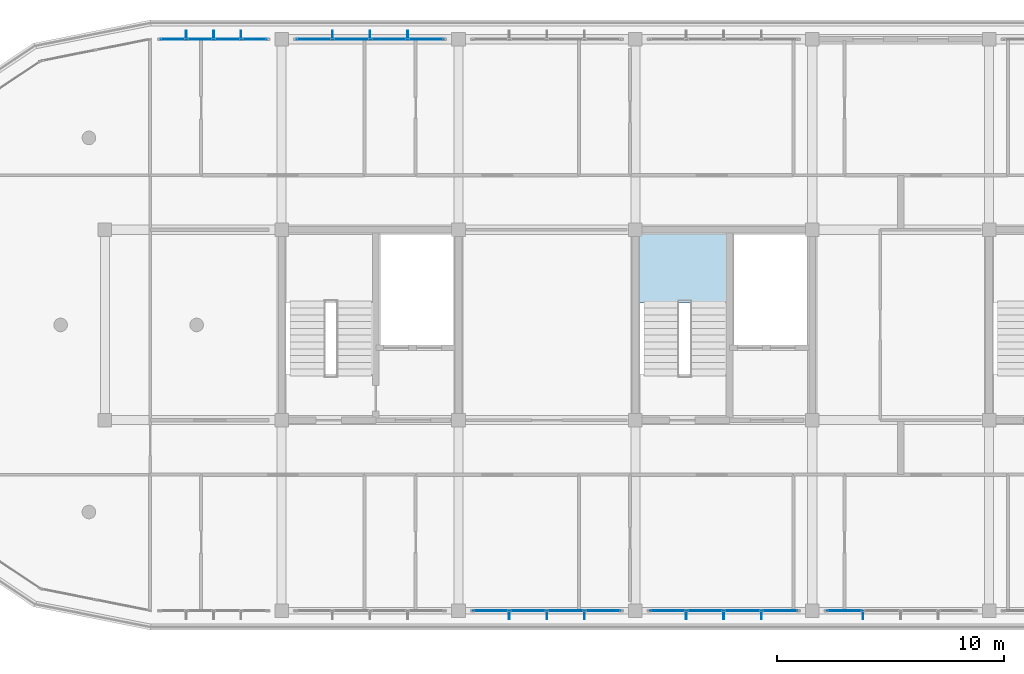
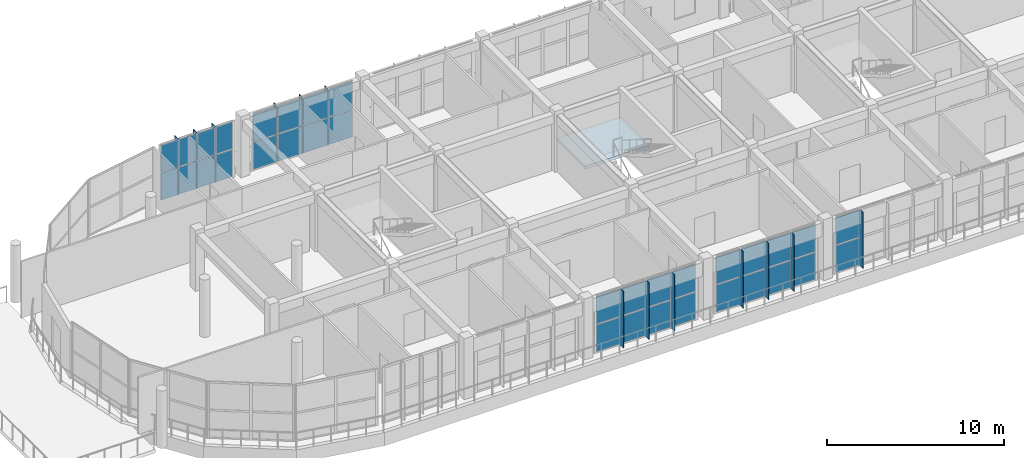
# One storey, part 32 of 50: 47 plates, 1 slab, 6 elements without a shape of their own.
"""IFC4 building model written with IfcOpenShell, lengths in metres."""

import ifcopenshell
import ifcopenshell.guid

model = None  # the IFC model being written
_history = None  # IfcOwnerHistory: only IFC2X3 demands one
_inside = {}  # id of a spatial element -> (the spatial element, [elements in it])
_under = {}  # id of a project, library or spatial element -> (it, [spatial elements below it])
_declared = {}  # id of a project -> (the project, [libraries it declares])
_typed = {}  # id of a type object -> (the type object, [elements of that type])
_made_of = {}  # id of a material, layer set ... -> (it, [elements and type objects made of it])


def new_model(schema):
    """Start an empty IFC model of exactly this schema.

    Asked for "IFC4X3", IfcOpenShell would pick the latest addendum, in which some entities
    have other attributes; the version numbers below select the first issue.
    IFC2X3 requires an IfcOwnerHistory on every rooted entity: one is made here for all.
    """
    global model, _history
    if schema == "IFC4X3":
        model = ifcopenshell.file(schema_version=(4, 3, 0, 0))
    else:
        model = ifcopenshell.file(schema=schema)
    _inside.clear()
    _under.clear()
    _declared.clear()
    _typed.clear()
    _made_of.clear()
    _history = None
    if model.schema == "IFC2X3":
        org = make("IfcOrganization", Name="unknown")
        user = make(
            "IfcPersonAndOrganization",
            ThePerson=make("IfcPerson", FamilyName="unknown"),
            TheOrganization=org,
        )
        app = make(
            "IfcApplication",
            ApplicationDeveloper=org,
            Version="unknown",
            ApplicationFullName="unknown",
            ApplicationIdentifier="unknown",
        )
        _history = make(
            "IfcOwnerHistory",
            OwningUser=user,
            OwningApplication=app,
            ChangeAction="ADDED",
            CreationDate=0,
        )
    return model


def make(cls, **values):
    """One entity of the class cls with the attributes given. An attribute that is None is left unset."""
    return model.create_entity(
        cls, **{name: value for name, value in values.items() if value is not None}
    )


def rooted(cls, **values):
    """An entity with a GlobalId (a new one), such as an element, a storey or a relation."""
    return make(cls, GlobalId=ifcopenshell.guid.new(), OwnerHistory=_history, **values)


def si_unit(unit_type, name, prefix=None):
    """IfcSIUnit, for example si_unit("LENGTHUNIT", "METRE", prefix="MILLI")."""
    return make("IfcSIUnit", UnitType=unit_type, Prefix=prefix, Name=name)


def assignment(units):
    """IfcUnitAssignment: the units of a project."""
    return None if units is None else make("IfcUnitAssignment", Units=units)


def point(xyz):
    """IfcCartesianPoint."""
    return None if xyz is None else make("IfcCartesianPoint", Coordinates=xyz)


def direction(xyz):
    """IfcDirection."""
    return None if xyz is None else make("IfcDirection", DirectionRatios=xyz)


def frame(location, z_axis=None, x_axis=None):
    """IfcAxis2Placement3D, a coordinate frame: its origin and axes. An axis left out is left unset."""
    return make(
        "IfcAxis2Placement3D",
        Location=point(location),
        Axis=direction(z_axis),
        RefDirection=direction(x_axis),
    )


def frame_2d(location, x_axis=None):
    """IfcAxis2Placement2D, a coordinate frame in the plane: its origin and x axis."""
    return make(
        "IfcAxis2Placement2D", Location=point(location), RefDirection=direction(x_axis)
    )


def origin():
    """The frame at (0, 0, 0) with its axes left unset."""
    return frame((0.0, 0.0, 0.0))


def origin_2d():
    """The frame at (0, 0) in the plane with its x axis left unset."""
    return frame_2d((0.0, 0.0))


def place(relative_to, where):
    """IfcLocalPlacement: puts the frame where relative to a parent placement (None: the world)."""
    return make(
        "IfcLocalPlacement", PlacementRelTo=relative_to, RelativePlacement=where
    )


def context(
    kind, dimensions, precision=None, world=None, true_north=None, identifier=None
):
    """IfcGeometricRepresentationContext, for example the 3D "Model" context."""
    return make(
        "IfcGeometricRepresentationContext",
        ContextIdentifier=identifier,
        ContextType=kind,
        CoordinateSpaceDimension=dimensions,
        Precision=precision,
        WorldCoordinateSystem=world,
        TrueNorth=true_north,
    )


def subcontext(parent, identifier, kind, view, scale=None):
    """IfcGeometricRepresentationSubContext, for example "Body" below "Model"."""
    return make(
        "IfcGeometricRepresentationSubContext",
        ContextIdentifier=identifier,
        ContextType=kind,
        ParentContext=parent,
        TargetScale=scale,
        TargetView=view,
    )


def project(units=None, contexts=None):
    """IfcProject with its units and contexts."""
    return rooted(
        "IfcProject",
        Name="project",
        RepresentationContexts=contexts,
        UnitsInContext=assignment(units),
    )


def spatial(cls, under=None, at=None, **own):
    """A site, building, storey or space (cls), placed at a placement, below another one or the project."""
    s = rooted(cls, ObjectPlacement=at, **own)
    if under is not None:
        _under.setdefault(under.id(), (under, []))[1].append(s)
    return s


def polyline(points):
    """IfcPolyline through the points."""
    return make("IfcPolyline", Points=[point(p) for p in points])


def profile(cls, at=None, kind="AREA", **sizes):
    """A parametric profile (cls). Its sizes go by their IFC names, for example OverallWidth=200.0."""
    return make(cls, ProfileType=kind, Position=at, **sizes)


def rectangle(**sizes):
    """IfcRectangleProfileDef."""
    return profile("IfcRectangleProfileDef", **sizes)


def outline(outer, holes=None, kind="AREA"):
    """IfcArbitraryClosedProfileDef: a profile drawn as a closed curve; with holes, ...WithVoids."""
    if holes is None:
        return make("IfcArbitraryClosedProfileDef", ProfileType=kind, OuterCurve=outer)
    return make(
        "IfcArbitraryProfileDefWithVoids",
        ProfileType=kind,
        OuterCurve=outer,
        InnerCurves=holes,
    )


def extrude(swept, where, along, depth):
    """IfcExtrudedAreaSolid: the profile swept, set in the frame where, extruded along a direction by depth."""
    return make(
        "IfcExtrudedAreaSolid",
        SweptArea=swept,
        Position=where,
        ExtrudedDirection=direction(along),
        Depth=depth,
    )


def shape(context_of_items, identifier, shape_type, items):
    """IfcShapeRepresentation: the items that make up one representation, for example the "Body"."""
    return make(
        "IfcShapeRepresentation",
        ContextOfItems=context_of_items,
        RepresentationIdentifier=identifier,
        RepresentationType=shape_type,
        Items=items,
    )


def material(Name=None, Category=None):
    """IfcMaterial."""
    return make("IfcMaterial", Name=Name, Category=Category)


def layer(
    of_material, thickness, ventilated=None, Name=None, Category=None, Priority=None
):
    """IfcMaterialLayer: one layer of a wall or slab, of a material (None: an air gap)."""
    return make(
        "IfcMaterialLayer",
        Material=of_material,
        LayerThickness=thickness,
        IsVentilated=ventilated,
        Name=Name,
        Category=Category,
        Priority=Priority,
    )


def layer_set(layers, Name=None):
    """IfcMaterialLayerSet."""
    return make("IfcMaterialLayerSet", MaterialLayers=layers, LayerSetName=Name)


def made_of(thing, what):
    """Note that an element or type object is made of a material, layer set ...; save() writes the relation."""
    if what is not None:
        _made_of.setdefault(what.id(), (what, []))[1].append(thing)
    return thing


def type_object(cls, material=None, **own):
    """A type object (cls), such as IfcWallType, which elements share."""
    return made_of(rooted(cls, **own), material)


def element(
    cls,
    number,
    at=None,
    inside=None,
    cuts=None,
    type_object=None,
    material=None,
    context=None,
    identifier="Body",
    shape_type=None,
    held_by="IfcProductDefinitionShape",
    body=None,
    shapes=None,
    **own,
):
    """One element of the class cls, such as IfcWall. Its Tag is "e" and its number.

    at: its placement. inside: the storey or other place that contains it. cuts: it is an
    opening in that element (IfcRelVoidsElement). A single representation is given by context,
    identifier, shape_type and body (its items); several are given by shapes. held_by: the class
    of the entity that holds the representations. save() writes the other relations.
    """
    e = rooted(cls, Tag="e%d" % number, ObjectPlacement=at, **own)
    if body is not None:
        shapes = [shape(context, identifier, shape_type, body)]
    if shapes is not None:
        e.Representation = make(held_by, Representations=shapes)
    if inside is not None:
        _inside.setdefault(inside.id(), (inside, []))[1].append(e)
    if cuts is not None:
        rooted(
            "IfcRelVoidsElement", RelatingBuildingElement=cuts, RelatedOpeningElement=e
        )
    if type_object is not None:
        _typed.setdefault(type_object.id(), (type_object, []))[1].append(e)
    return made_of(e, material)


def aggregate(whole, parts):
    """IfcRelAggregates: a whole, such as a stair, and the parts it consists of."""
    return rooted("IfcRelAggregates", RelatingObject=whole, RelatedObjects=parts)


def save(model, path):
    """Write the relations noted so far, then the file.

    IfcRelAggregates (storeys below a building ...), IfcRelContainedInSpatialStructure (elements
    in a storey), IfcRelDefinesByType, IfcRelAssociatesMaterial and IfcRelDeclares: one each for
    every whole, place, type object, material and project.
    """
    for whole, parts in _under.values():
        aggregate(whole, parts)
    for where, things in _inside.values():
        rooted(
            "IfcRelContainedInSpatialStructure",
            RelatedElements=things,
            RelatingStructure=where,
        )
    for kind, things in _typed.values():
        rooted("IfcRelDefinesByType", RelatedObjects=things, RelatingType=kind)
    for what, things in _made_of.values():
        rooted("IfcRelAssociatesMaterial", RelatedObjects=things, RelatingMaterial=what)
    for by, libraries in _declared.values():
        rooted("IfcRelDeclares", RelatingContext=by, RelatedDefinitions=libraries)
    model.write(path)


model = new_model("IFC4")

# Units and contexts
model_context = context("Model", 3, precision=1e-05, world=origin(), true_north=direction((0.0, 1.0)))
body_context = subcontext(model_context, "Body", "Model", "MODEL_VIEW")
ifc_project = project(units=[si_unit("LENGTHUNIT", "METRE"), si_unit("AREAUNIT", "SQUARE_METRE"), si_unit("VOLUMEUNIT", "CUBIC_METRE"), si_unit("PLANEANGLEUNIT", "RADIAN"), si_unit("MASSUNIT", "GRAM", prefix="KILO")], contexts=[model_context])

# Site, building, storey
site_placement = place(None, origin())
site = spatial("IfcSite", under=ifc_project, at=site_placement, CompositionType="ELEMENT")
building_placement = place(site_placement, origin())
building = spatial("IfcBuilding", under=site, at=building_placement, Name="Zizhar Promenade General Hospital", CompositionType="ELEMENT")
storey_placement = place(building_placement, frame((0.0, 0.0, 30.60009765625)))
storey = spatial("IfcBuildingStorey", under=building, at=storey_placement, Name="L07", CompositionType="ELEMENT", Elevation=30.60009765625)

# Curtain wall, plates
ifc_material_1 = material(Name="Anodised aluminium 6063-T6 and low-E glass", Category="aluminium")
ifc_layer_1 = layer(ifc_material_1, 0.159912109375)
ifc_layer_set_1 = layer_set([ifc_layer_1], Name="Anodised aluminium 6063-T6 and low-E glass")
curtain_wall_type = type_object("IfcCurtainWallType", Name="CW-WARD-RIB", PredefinedType="NOTDEFINED", material=ifc_layer_set_1)
curtain_wall_1_placement = place(storey_placement, origin())
curtain_wall_1 = element("IfcCurtainWall", 1, at=curtain_wall_1_placement, inside=storey, type_object=curtain_wall_type, Name="Ward Ribbon Curtain Wall L07-8-0", PredefinedType="NOTDEFINED")
ifc_material_2 = material(Name="Low-E solar-control glass", Category="glass")
ifc_layer_2 = layer(ifc_material_2, 0.031982421875)
ifc_layer_set_2 = layer_set([ifc_layer_2], Name="Low-E solar-control glass")
plate_type_1 = type_object("IfcPlateType", Name="CWP-GLZ-32", PredefinedType="CURTAIN_PANEL", material=ifc_layer_set_2)
plate_1_placement = place(storey_placement, frame((42.0048828125, 25.199951171875, 0.06005859375), z_axis=(0.0, 0.0, 1.0), x_axis=(1.0, 0.0, 0.0)))
plate_1 = element("IfcPlate", 2, at=plate_1_placement, type_object=plate_type_1, Name="CW-13 panel 1.1", PredefinedType="CURTAIN_PANEL", context=body_context, shape_type="SweptSolid", body=[
    extrude(rectangle(XDim=1.090087890625, YDim=0.031982421875, at=origin_2d()), origin(), (0.0, 0.0, 1.0), 1.860107421875),
])
plate_2_placement = place(storey_placement, frame((42.0048828125, 25.199951171875, 1.97998046875), z_axis=(0.0, 0.0, 1.0), x_axis=(1.0, 0.0, 0.0)))
plate_2 = element("IfcPlate", 3, at=plate_2_placement, type_object=plate_type_1, Name="CW-13 panel 1.2", PredefinedType="CURTAIN_PANEL", context=body_context, shape_type="SweptSolid", body=[
    extrude(rectangle(XDim=1.090087890625, YDim=0.031982421875, at=origin_2d()), origin(), (0.0, 0.0, 1.0), 1.860107421875),
])
plate_3_placement = place(storey_placement, frame((43.195068359375, 25.199951171875, 0.06005859375), z_axis=(0.0, 0.0, 1.0), x_axis=(1.0, 0.0, 0.0)))
plate_3 = element("IfcPlate", 4, at=plate_3_placement, type_object=plate_type_1, Name="CW-13 panel 2.1", PredefinedType="CURTAIN_PANEL", context=body_context, shape_type="SweptSolid", body=[
    extrude(rectangle(XDim=1.1298828125, YDim=0.031982421875, at=origin_2d()), origin(), (0.0, 0.0, 1.0), 1.860107421875),
])
plate_4_placement = place(storey_placement, frame((43.195068359375, 25.199951171875, 1.97998046875), z_axis=(0.0, 0.0, 1.0), x_axis=(1.0, 0.0, 0.0)))
plate_4 = element("IfcPlate", 5, at=plate_4_placement, type_object=plate_type_1, Name="CW-13 panel 2.2", PredefinedType="CURTAIN_PANEL", context=body_context, shape_type="SweptSolid", body=[
    extrude(rectangle(XDim=1.1298828125, YDim=0.031982421875, at=origin_2d()), origin(), (0.0, 0.0, 1.0), 1.860107421875),
])
plate_5_placement = place(storey_placement, frame((44.405029296875, 25.199951171875, 0.06005859375), z_axis=(0.0, 0.0, 1.0), x_axis=(1.0, 0.0, 0.0)))
plate_5 = element("IfcPlate", 6, at=plate_5_placement, type_object=plate_type_1, Name="CW-13 panel 3.1", PredefinedType="CURTAIN_PANEL", context=body_context, shape_type="SweptSolid", body=[
    extrude(rectangle(XDim=1.1298828125, YDim=0.031982421875, at=origin_2d()), origin(), (0.0, 0.0, 1.0), 1.860107421875),
])
plate_6_placement = place(storey_placement, frame((44.405029296875, 25.199951171875, 1.97998046875), z_axis=(0.0, 0.0, 1.0), x_axis=(1.0, 0.0, 0.0)))
plate_6 = element("IfcPlate", 7, at=plate_6_placement, type_object=plate_type_1, Name="CW-13 panel 3.2", PredefinedType="CURTAIN_PANEL", context=body_context, shape_type="SweptSolid", body=[
    extrude(rectangle(XDim=1.1298828125, YDim=0.031982421875, at=origin_2d()), origin(), (0.0, 0.0, 1.0), 1.860107421875),
])
plate_7_placement = place(storey_placement, frame((45.594970703125, 25.199951171875, 0.06005859375), z_axis=(0.0, 0.0, 1.0), x_axis=(1.0, 0.0, 0.0)))
plate_7 = element("IfcPlate", 8, at=plate_7_placement, type_object=plate_type_1, Name="CW-13 panel 4.1", PredefinedType="CURTAIN_PANEL", context=body_context, shape_type="SweptSolid", body=[
    extrude(rectangle(XDim=1.090087890625, YDim=0.031982421875, at=origin_2d()), origin(), (0.0, 0.0, 1.0), 1.860107421875),
])
plate_8_placement = place(storey_placement, frame((45.594970703125, 25.199951171875, 1.97998046875), z_axis=(0.0, 0.0, 1.0), x_axis=(1.0, 0.0, 0.0)))
plate_8 = element("IfcPlate", 9, at=plate_8_placement, type_object=plate_type_1, Name="CW-13 panel 4.2", PredefinedType="CURTAIN_PANEL", context=body_context, shape_type="SweptSolid", body=[
    extrude(rectangle(XDim=1.090087890625, YDim=0.031982421875, at=origin_2d()), origin(), (0.0, 0.0, 1.0), 1.860107421875),
])
aggregate(curtain_wall_1, [plate_1, plate_2, plate_3, plate_4, plate_5, plate_6, plate_7, plate_8])

curtain_wall_2_placement = place(storey_placement, origin())
curtain_wall_2 = element("IfcCurtainWall", 10, at=curtain_wall_2_placement, inside=storey, type_object=curtain_wall_type, Name="Ward Ribbon Curtain Wall L07-8-1", PredefinedType="NOTDEFINED")
plate_9_placement = place(storey_placement, frame((48.22998046875, 25.199951171875, 0.06005859375), z_axis=(0.0, 0.0, 1.0), x_axis=(1.0, 0.0, 0.0)))
plate_9 = element("IfcPlate", 11, at=plate_9_placement, type_object=plate_type_1, Name="CW-13 panel 1.1", PredefinedType="CURTAIN_PANEL", context=body_context, shape_type="SweptSolid", body=[
    extrude(rectangle(XDim=1.5400390625, YDim=0.031982421875, at=origin_2d()), origin(), (0.0, 0.0, 1.0), 1.860107421875),
])
plate_10_placement = place(storey_placement, frame((48.22998046875, 25.199951171875, 1.97998046875), z_axis=(0.0, 0.0, 1.0), x_axis=(1.0, 0.0, 0.0)))
plate_10 = element("IfcPlate", 12, at=plate_10_placement, type_object=plate_type_1, Name="CW-13 panel 1.2", PredefinedType="CURTAIN_PANEL", context=body_context, shape_type="SweptSolid", body=[
    extrude(rectangle(XDim=1.5400390625, YDim=0.031982421875, at=origin_2d()), origin(), (0.0, 0.0, 1.0), 1.860107421875),
])
plate_11_placement = place(storey_placement, frame((49.8701171875, 25.199951171875, 0.06005859375), z_axis=(0.0, 0.0, 1.0), x_axis=(1.0, 0.0, 0.0)))
plate_11 = element("IfcPlate", 13, at=plate_11_placement, type_object=plate_type_1, Name="CW-13 panel 2.1", PredefinedType="CURTAIN_PANEL", context=body_context, shape_type="SweptSolid", body=[
    extrude(rectangle(XDim=1.580078125, YDim=0.031982421875, at=origin_2d()), origin(), (0.0, 0.0, 1.0), 1.860107421875),
])
plate_12_placement = place(storey_placement, frame((49.8701171875, 25.199951171875, 1.97998046875), z_axis=(0.0, 0.0, 1.0), x_axis=(1.0, 0.0, 0.0)))
plate_12 = element("IfcPlate", 14, at=plate_12_placement, type_object=plate_type_1, Name="CW-13 panel 2.2", PredefinedType="CURTAIN_PANEL", context=body_context, shape_type="SweptSolid", body=[
    extrude(rectangle(XDim=1.580078125, YDim=0.031982421875, at=origin_2d()), origin(), (0.0, 0.0, 1.0), 1.860107421875),
])
plate_13_placement = place(storey_placement, frame((51.530029296875, 25.199951171875, 0.06005859375), z_axis=(0.0, 0.0, 1.0), x_axis=(1.0, 0.0, 0.0)))
plate_13 = element("IfcPlate", 15, at=plate_13_placement, type_object=plate_type_1, Name="CW-13 panel 3.1", PredefinedType="CURTAIN_PANEL", context=body_context, shape_type="SweptSolid", body=[
    extrude(rectangle(XDim=1.580078125, YDim=0.031982421875, at=origin_2d()), origin(), (0.0, 0.0, 1.0), 1.860107421875),
])
plate_14_placement = place(storey_placement, frame((51.530029296875, 25.199951171875, 1.97998046875), z_axis=(0.0, 0.0, 1.0), x_axis=(1.0, 0.0, 0.0)))
plate_14 = element("IfcPlate", 16, at=plate_14_placement, type_object=plate_type_1, Name="CW-13 panel 3.2", PredefinedType="CURTAIN_PANEL", context=body_context, shape_type="SweptSolid", body=[
    extrude(rectangle(XDim=1.580078125, YDim=0.031982421875, at=origin_2d()), origin(), (0.0, 0.0, 1.0), 1.860107421875),
])
plate_15_placement = place(storey_placement, frame((53.169921875, 25.199951171875, 0.06005859375), z_axis=(0.0, 0.0, 1.0), x_axis=(1.0, 0.0, 0.0)))
plate_15 = element("IfcPlate", 17, at=plate_15_placement, type_object=plate_type_1, Name="CW-13 panel 4.1", PredefinedType="CURTAIN_PANEL", context=body_context, shape_type="SweptSolid", body=[
    extrude(rectangle(XDim=1.5400390625, YDim=0.031982421875, at=origin_2d()), origin(), (0.0, 0.0, 1.0), 1.860107421875),
])
plate_16_placement = place(storey_placement, frame((53.169921875, 25.199951171875, 1.97998046875), z_axis=(0.0, 0.0, 1.0), x_axis=(1.0, 0.0, 0.0)))
plate_16 = element("IfcPlate", 18, at=plate_16_placement, type_object=plate_type_1, Name="CW-13 panel 4.2", PredefinedType="CURTAIN_PANEL", context=body_context, shape_type="SweptSolid", body=[
    extrude(rectangle(XDim=1.5400390625, YDim=0.031982421875, at=origin_2d()), origin(), (0.0, 0.0, 1.0), 1.860107421875),
])
aggregate(curtain_wall_2, [plate_9, plate_10, plate_11, plate_12, plate_13, plate_14, plate_15, plate_16])

curtain_wall_3_placement = place(storey_placement, origin())
curtain_wall_3 = element("IfcCurtainWall", 19, at=curtain_wall_3_placement, inside=storey, type_object=curtain_wall_type, Name="Ward Ribbon Curtain Wall L07-17-4", PredefinedType="NOTDEFINED")
plate_17_placement = place(storey_placement, frame((71.6298828125, 0.0, 0.06005859375), z_axis=(0.0, 0.0, 1.0), x_axis=(-1.0, 0.0, 0.0)))
plate_17 = element("IfcPlate", 20, at=plate_17_placement, type_object=plate_type_1, Name="CW-13 panel 4.1", PredefinedType="CURTAIN_PANEL", context=body_context, shape_type="SweptSolid", body=[
    extrude(rectangle(XDim=1.5400390625, YDim=0.031982421875, at=origin_2d()), origin(), (0.0, 0.0, 1.0), 1.860107421875),
])
plate_18_placement = place(storey_placement, frame((71.6298828125, 0.0, 1.97998046875), z_axis=(0.0, 0.0, 1.0), x_axis=(-1.0, 0.0, 0.0)))
plate_18 = element("IfcPlate", 21, at=plate_18_placement, type_object=plate_type_1, Name="CW-13 panel 4.2", PredefinedType="CURTAIN_PANEL", context=body_context, shape_type="SweptSolid", body=[
    extrude(rectangle(XDim=1.5400390625, YDim=0.031982421875, at=origin_2d()), origin(), (0.0, 0.0, 1.0), 1.860107421875),
])
aggregate(curtain_wall_3, [plate_17, plate_18])

curtain_wall_4_placement = place(storey_placement, origin())
curtain_wall_4 = element("IfcCurtainWall", 22, at=curtain_wall_4_placement, inside=storey, type_object=curtain_wall_type, Name="Ward Ribbon Curtain Wall L07-17-5", PredefinedType="NOTDEFINED")
plate_19_placement = place(storey_placement, frame((68.77001953125, 0.0, 0.06005859375), z_axis=(0.0, 0.0, 1.0), x_axis=(-1.0, 0.0, 0.0)))
plate_19 = element("IfcPlate", 23, at=plate_19_placement, type_object=plate_type_1, Name="CW-13 panel 1.1", PredefinedType="CURTAIN_PANEL", context=body_context, shape_type="SweptSolid", body=[
    extrude(rectangle(XDim=1.5400390625, YDim=0.031982421875, at=origin_2d()), origin(), (0.0, 0.0, 1.0), 1.860107421875),
])
plate_20_placement = place(storey_placement, frame((68.77001953125, 0.0, 1.97998046875), z_axis=(0.0, 0.0, 1.0), x_axis=(-1.0, 0.0, 0.0)))
plate_20 = element("IfcPlate", 24, at=plate_20_placement, type_object=plate_type_1, Name="CW-13 panel 1.2", PredefinedType="CURTAIN_PANEL", context=body_context, shape_type="SweptSolid", body=[
    extrude(rectangle(XDim=1.5400390625, YDim=0.031982421875, at=origin_2d()), origin(), (0.0, 0.0, 1.0), 1.860107421875),
])
plate_21_placement = place(storey_placement, frame((67.1298828125, 0.0, 0.06005859375), z_axis=(0.0, 0.0, 1.0), x_axis=(-1.0, 0.0, 0.0)))
plate_21 = element("IfcPlate", 25, at=plate_21_placement, type_object=plate_type_1, Name="CW-13 panel 2.1", PredefinedType="CURTAIN_PANEL", context=body_context, shape_type="SweptSolid", body=[
    extrude(rectangle(XDim=1.580078125, YDim=0.031982421875, at=origin_2d()), origin(), (0.0, 0.0, 1.0), 1.860107421875),
])
plate_22_placement = place(storey_placement, frame((67.1298828125, 0.0, 1.97998046875), z_axis=(0.0, 0.0, 1.0), x_axis=(-1.0, 0.0, 0.0)))
plate_22 = element("IfcPlate", 26, at=plate_22_placement, type_object=plate_type_1, Name="CW-13 panel 2.2", PredefinedType="CURTAIN_PANEL", context=body_context, shape_type="SweptSolid", body=[
    extrude(rectangle(XDim=1.580078125, YDim=0.031982421875, at=origin_2d()), origin(), (0.0, 0.0, 1.0), 1.860107421875),
])
plate_23_placement = place(storey_placement, frame((65.469970703125, 0.0, 0.06005859375), z_axis=(0.0, 0.0, 1.0), x_axis=(-1.0, 0.0, 0.0)))
plate_23 = element("IfcPlate", 27, at=plate_23_placement, type_object=plate_type_1, Name="CW-13 panel 3.1", PredefinedType="CURTAIN_PANEL", context=body_context, shape_type="SweptSolid", body=[
    extrude(rectangle(XDim=1.580078125, YDim=0.031982421875, at=origin_2d()), origin(), (0.0, 0.0, 1.0), 1.860107421875),
])
plate_24_placement = place(storey_placement, frame((65.469970703125, 0.0, 1.97998046875), z_axis=(0.0, 0.0, 1.0), x_axis=(-1.0, 0.0, 0.0)))
plate_24 = element("IfcPlate", 28, at=plate_24_placement, type_object=plate_type_1, Name="CW-13 panel 3.2", PredefinedType="CURTAIN_PANEL", context=body_context, shape_type="SweptSolid", body=[
    extrude(rectangle(XDim=1.580078125, YDim=0.031982421875, at=origin_2d()), origin(), (0.0, 0.0, 1.0), 1.860107421875),
])
plate_25_placement = place(storey_placement, frame((63.830078125, 0.0, 0.06005859375), z_axis=(0.0, 0.0, 1.0), x_axis=(-1.0, 0.0, 0.0)))
plate_25 = element("IfcPlate", 29, at=plate_25_placement, type_object=plate_type_1, Name="CW-13 panel 4.1", PredefinedType="CURTAIN_PANEL", context=body_context, shape_type="SweptSolid", body=[
    extrude(rectangle(XDim=1.5400390625, YDim=0.031982421875, at=origin_2d()), origin(), (0.0, 0.0, 1.0), 1.860107421875),
])
plate_26_placement = place(storey_placement, frame((63.830078125, 0.0, 1.97998046875), z_axis=(0.0, 0.0, 1.0), x_axis=(-1.0, 0.0, 0.0)))
plate_26 = element("IfcPlate", 30, at=plate_26_placement, type_object=plate_type_1, Name="CW-13 panel 4.2", PredefinedType="CURTAIN_PANEL", context=body_context, shape_type="SweptSolid", body=[
    extrude(rectangle(XDim=1.5400390625, YDim=0.031982421875, at=origin_2d()), origin(), (0.0, 0.0, 1.0), 1.860107421875),
])
aggregate(curtain_wall_4, [plate_19, plate_20, plate_21, plate_22, plate_23, plate_24, plate_25, plate_26])

curtain_wall_5_placement = place(storey_placement, origin())
curtain_wall_5 = element("IfcCurtainWall", 31, at=curtain_wall_5_placement, inside=storey, type_object=curtain_wall_type, Name="Ward Ribbon Curtain Wall L07-17-6", PredefinedType="NOTDEFINED")
plate_27_placement = place(storey_placement, frame((60.969970703125, 0.0, 0.06005859375), z_axis=(0.0, 0.0, 1.0), x_axis=(-1.0, 0.0, 0.0)))
plate_27 = element("IfcPlate", 32, at=plate_27_placement, type_object=plate_type_1, Name="CW-13 panel 1.1", PredefinedType="CURTAIN_PANEL", context=body_context, shape_type="SweptSolid", body=[
    extrude(rectangle(XDim=1.5400390625, YDim=0.031982421875, at=origin_2d()), origin(), (0.0, 0.0, 1.0), 1.860107421875),
])
plate_28_placement = place(storey_placement, frame((60.969970703125, 0.0, 1.97998046875), z_axis=(0.0, 0.0, 1.0), x_axis=(-1.0, 0.0, 0.0)))
plate_28 = element("IfcPlate", 33, at=plate_28_placement, type_object=plate_type_1, Name="CW-13 panel 1.2", PredefinedType="CURTAIN_PANEL", context=body_context, shape_type="SweptSolid", body=[
    extrude(rectangle(XDim=1.5400390625, YDim=0.031982421875, at=origin_2d()), origin(), (0.0, 0.0, 1.0), 1.860107421875),
])
plate_29_placement = place(storey_placement, frame((59.330078125, 0.0, 0.06005859375), z_axis=(0.0, 0.0, 1.0), x_axis=(-1.0, 0.0, 0.0)))
plate_29 = element("IfcPlate", 34, at=plate_29_placement, type_object=plate_type_1, Name="CW-13 panel 2.1", PredefinedType="CURTAIN_PANEL", context=body_context, shape_type="SweptSolid", body=[
    extrude(rectangle(XDim=1.580078125, YDim=0.031982421875, at=origin_2d()), origin(), (0.0, 0.0, 1.0), 1.860107421875),
])
plate_30_placement = place(storey_placement, frame((59.330078125, 0.0, 1.97998046875), z_axis=(0.0, 0.0, 1.0), x_axis=(-1.0, 0.0, 0.0)))
plate_30 = element("IfcPlate", 35, at=plate_30_placement, type_object=plate_type_1, Name="CW-13 panel 2.2", PredefinedType="CURTAIN_PANEL", context=body_context, shape_type="SweptSolid", body=[
    extrude(rectangle(XDim=1.580078125, YDim=0.031982421875, at=origin_2d()), origin(), (0.0, 0.0, 1.0), 1.860107421875),
])
plate_31_placement = place(storey_placement, frame((57.669921875, 0.0, 0.06005859375), z_axis=(0.0, 0.0, 1.0), x_axis=(-1.0, 0.0, 0.0)))
plate_31 = element("IfcPlate", 36, at=plate_31_placement, type_object=plate_type_1, Name="CW-13 panel 3.1", PredefinedType="CURTAIN_PANEL", context=body_context, shape_type="SweptSolid", body=[
    extrude(rectangle(XDim=1.580078125, YDim=0.031982421875, at=origin_2d()), origin(), (0.0, 0.0, 1.0), 1.860107421875),
])
plate_32_placement = place(storey_placement, frame((57.669921875, 0.0, 1.97998046875), z_axis=(0.0, 0.0, 1.0), x_axis=(-1.0, 0.0, 0.0)))
plate_32 = element("IfcPlate", 37, at=plate_32_placement, type_object=plate_type_1, Name="CW-13 panel 3.2", PredefinedType="CURTAIN_PANEL", context=body_context, shape_type="SweptSolid", body=[
    extrude(rectangle(XDim=1.580078125, YDim=0.031982421875, at=origin_2d()), origin(), (0.0, 0.0, 1.0), 1.860107421875),
])
plate_33_placement = place(storey_placement, frame((56.030029296875, 0.0, 0.06005859375), z_axis=(0.0, 0.0, 1.0), x_axis=(-1.0, 0.0, 0.0)))
plate_33 = element("IfcPlate", 38, at=plate_33_placement, type_object=plate_type_1, Name="CW-13 panel 4.1", PredefinedType="CURTAIN_PANEL", context=body_context, shape_type="SweptSolid", body=[
    extrude(rectangle(XDim=1.5400390625, YDim=0.031982421875, at=origin_2d()), origin(), (0.0, 0.0, 1.0), 1.860107421875),
])
plate_34_placement = place(storey_placement, frame((56.030029296875, 0.0, 1.97998046875), z_axis=(0.0, 0.0, 1.0), x_axis=(-1.0, 0.0, 0.0)))
plate_34 = element("IfcPlate", 39, at=plate_34_placement, type_object=plate_type_1, Name="CW-13 panel 4.2", PredefinedType="CURTAIN_PANEL", context=body_context, shape_type="SweptSolid", body=[
    extrude(rectangle(XDim=1.5400390625, YDim=0.031982421875, at=origin_2d()), origin(), (0.0, 0.0, 1.0), 1.860107421875),
])
aggregate(curtain_wall_5, [plate_27, plate_28, plate_29, plate_30, plate_31, plate_32, plate_33, plate_34])

# Plates
ifc_material_3 = material(Name="Anodised aluminium 6063-T6", Category="aluminium")
ifc_layer_3 = layer(ifc_material_3, 0.035888671875)
ifc_layer_set_3 = layer_set([ifc_layer_3], Name="Anodised aluminium 6063-T6")
plate_type_2 = type_object("IfcPlateType", Name="FIN-ALU-380", PredefinedType="USERDEFINED", material=ifc_layer_set_3)
plate_35_placement = place(storey_placement, origin())
element("IfcPlate", 40, at=plate_35_placement, inside=storey, type_object=plate_type_2, Name="Ward Ribbon Curtain Wall L07-8-0 Solar Fin 1", ObjectType="SOLAR_SHADE", PredefinedType="USERDEFINED", context=body_context, shape_type="SweptSolid", body=[
    extrude(outline(polyline([(42.572021484375, 25.199951171875), (42.60791015625, 25.199951171875), (42.60791015625, 25.580078125), (42.572021484375, 25.580078125), (42.572021484375, 25.199951171875)])), origin(), (0.0, 0.0, 1.0), 3.89990234375),
])
plate_36_placement = place(storey_placement, origin())
element("IfcPlate", 41, at=plate_36_placement, inside=storey, type_object=plate_type_2, Name="Ward Ribbon Curtain Wall L07-8-0 Solar Fin 2", ObjectType="SOLAR_SHADE", PredefinedType="USERDEFINED", context=body_context, shape_type="SweptSolid", body=[
    extrude(outline(polyline([(43.781982421875, 25.199951171875), (43.818115234375, 25.199951171875), (43.818115234375, 25.580078125), (43.781982421875, 25.580078125), (43.781982421875, 25.199951171875)])), origin(), (0.0, 0.0, 1.0), 3.89990234375),
])
plate_37_placement = place(storey_placement, origin())
element("IfcPlate", 42, at=plate_37_placement, inside=storey, type_object=plate_type_2, Name="Ward Ribbon Curtain Wall L07-8-0 Solar Fin 3", ObjectType="SOLAR_SHADE", PredefinedType="USERDEFINED", context=body_context, shape_type="SweptSolid", body=[
    extrude(outline(polyline([(44.991943359375, 25.199951171875), (45.028076171875, 25.199951171875), (45.028076171875, 25.580078125), (44.991943359375, 25.580078125), (44.991943359375, 25.199951171875)])), origin(), (0.0, 0.0, 1.0), 3.89990234375),
])
plate_38_placement = place(storey_placement, origin())
element("IfcPlate", 43, at=plate_38_placement, inside=storey, type_object=plate_type_2, Name="Ward Ribbon Curtain Wall L07-8-1 Solar Fin 1", ObjectType="SOLAR_SHADE", PredefinedType="USERDEFINED", context=body_context, shape_type="SweptSolid", body=[
    extrude(outline(polyline([(49.02197265625, 25.199951171875), (49.05810546875, 25.199951171875), (49.05810546875, 25.580078125), (49.02197265625, 25.580078125), (49.02197265625, 25.199951171875)])), origin(), (0.0, 0.0, 1.0), 3.89990234375),
])
plate_39_placement = place(storey_placement, origin())
element("IfcPlate", 44, at=plate_39_placement, inside=storey, type_object=plate_type_2, Name="Ward Ribbon Curtain Wall L07-8-1 Solar Fin 2", ObjectType="SOLAR_SHADE", PredefinedType="USERDEFINED", context=body_context, shape_type="SweptSolid", body=[
    extrude(outline(polyline([(50.681884765625, 25.199951171875), (50.718017578125, 25.199951171875), (50.718017578125, 25.580078125), (50.681884765625, 25.580078125), (50.681884765625, 25.199951171875)])), origin(), (0.0, 0.0, 1.0), 3.89990234375),
])
plate_40_placement = place(storey_placement, origin())
element("IfcPlate", 45, at=plate_40_placement, inside=storey, type_object=plate_type_2, Name="Ward Ribbon Curtain Wall L07-8-1 Solar Fin 3", ObjectType="SOLAR_SHADE", PredefinedType="USERDEFINED", context=body_context, shape_type="SweptSolid", body=[
    extrude(outline(polyline([(52.342041015625, 25.199951171875), (52.3779296875, 25.199951171875), (52.3779296875, 25.580078125), (52.342041015625, 25.580078125), (52.342041015625, 25.199951171875)])), origin(), (0.0, 0.0, 1.0), 3.89990234375),
])
plate_41_placement = place(storey_placement, origin())
element("IfcPlate", 46, at=plate_41_placement, inside=storey, type_object=plate_type_2, Name="Ward Ribbon Curtain Wall L07-17-4 Solar Fin 3", ObjectType="SOLAR_SHADE", PredefinedType="USERDEFINED", context=body_context, shape_type="SweptSolid", body=[
    extrude(outline(polyline([(72.4580078125, 0.0), (72.422119140625, 0.0), (72.422119140625, -0.3798828125), (72.4580078125, -0.3798828125), (72.4580078125, 0.0)])), origin(), (0.0, 0.0, 1.0), 3.89990234375),
])
plate_42_placement = place(storey_placement, origin())
element("IfcPlate", 47, at=plate_42_placement, inside=storey, type_object=plate_type_2, Name="Ward Ribbon Curtain Wall L07-17-5 Solar Fin 1", ObjectType="SOLAR_SHADE", PredefinedType="USERDEFINED", context=body_context, shape_type="SweptSolid", body=[
    extrude(outline(polyline([(67.97802734375, 0.0), (67.94189453125, 0.0), (67.94189453125, -0.3798828125), (67.97802734375, -0.3798828125), (67.97802734375, 0.0)])), origin(), (0.0, 0.0, 1.0), 3.89990234375),
])
plate_43_placement = place(storey_placement, origin())
element("IfcPlate", 48, at=plate_43_placement, inside=storey, type_object=plate_type_2, Name="Ward Ribbon Curtain Wall L07-17-5 Solar Fin 2", ObjectType="SOLAR_SHADE", PredefinedType="USERDEFINED", context=body_context, shape_type="SweptSolid", body=[
    extrude(outline(polyline([(66.318115234375, 0.0), (66.281982421875, 0.0), (66.281982421875, -0.3798828125), (66.318115234375, -0.3798828125), (66.318115234375, 0.0)])), origin(), (0.0, 0.0, 1.0), 3.89990234375),
])
plate_44_placement = place(storey_placement, origin())
element("IfcPlate", 49, at=plate_44_placement, inside=storey, type_object=plate_type_2, Name="Ward Ribbon Curtain Wall L07-17-5 Solar Fin 3", ObjectType="SOLAR_SHADE", PredefinedType="USERDEFINED", context=body_context, shape_type="SweptSolid", body=[
    extrude(outline(polyline([(64.657958984375, 0.0), (64.6220703125, 0.0), (64.6220703125, -0.3798828125), (64.657958984375, -0.3798828125), (64.657958984375, 0.0)])), origin(), (0.0, 0.0, 1.0), 3.89990234375),
])
plate_45_placement = place(storey_placement, origin())
element("IfcPlate", 50, at=plate_45_placement, inside=storey, type_object=plate_type_2, Name="Ward Ribbon Curtain Wall L07-17-6 Solar Fin 1", ObjectType="SOLAR_SHADE", PredefinedType="USERDEFINED", context=body_context, shape_type="SweptSolid", body=[
    extrude(outline(polyline([(60.177978515625, 0.0), (60.14208984375, 0.0), (60.14208984375, -0.3798828125), (60.177978515625, -0.3798828125), (60.177978515625, 0.0)])), origin(), (0.0, 0.0, 1.0), 3.89990234375),
])
plate_46_placement = place(storey_placement, origin())
element("IfcPlate", 51, at=plate_46_placement, inside=storey, type_object=plate_type_2, Name="Ward Ribbon Curtain Wall L07-17-6 Solar Fin 2", ObjectType="SOLAR_SHADE", PredefinedType="USERDEFINED", context=body_context, shape_type="SweptSolid", body=[
    extrude(outline(polyline([(58.51806640625, 0.0), (58.48193359375, 0.0), (58.48193359375, -0.3798828125), (58.51806640625, -0.3798828125), (58.51806640625, 0.0)])), origin(), (0.0, 0.0, 1.0), 3.89990234375),
])
plate_47_placement = place(storey_placement, origin())
element("IfcPlate", 52, at=plate_47_placement, inside=storey, type_object=plate_type_2, Name="Ward Ribbon Curtain Wall L07-17-6 Solar Fin 3", ObjectType="SOLAR_SHADE", PredefinedType="USERDEFINED", context=body_context, shape_type="SweptSolid", body=[
    extrude(outline(polyline([(56.85791015625, 0.0), (56.822021484375, 0.0), (56.822021484375, -0.3798828125), (56.85791015625, -0.3798828125), (56.85791015625, 0.0)])), origin(), (0.0, 0.0, 1.0), 3.89990234375),
])

# Stair, slab
ifc_material_4 = material(Name="Concrete C35/45", Category="concrete")
stair_type = type_object("IfcStairType", Name="STR-DOG-420", PredefinedType="HALF_TURN_STAIR", material=ifc_material_4)
stair_placement = place(storey_placement, origin())
stair = element("IfcStair", 53, at=stair_placement, inside=storey, type_object=stair_type, Name="Exit Stair ST-03 (L07 to L08)", PredefinedType="HALF_TURN_STAIR")
ifc_material_5 = material(Name="Concrete C35/45", Category="concrete")
ifc_layer_4 = layer(ifc_material_5, 0.2099609375)
ifc_layer_set_4 = layer_set([ifc_layer_4], Name="Concrete C35/45")
slab_type = type_object("IfcSlabType", Name="SLB-LAND-420", PredefinedType="LANDING", material=ifc_layer_set_4)
slab_placement = place(storey_placement, frame((0.0, 0.0, 1.889892578125)))
slab = element("IfcSlab", 54, at=slab_placement, type_object=slab_type, Name="ST-03C landing 1", PredefinedType="LANDING", context=body_context, shape_type="SweptSolid", body=[
    extrude(outline(polyline([(62.39990234375, 13.570068359375), (66.550048828125, 13.570068359375), (66.550048828125, 16.800048828125), (62.39990234375, 16.800048828125), (62.39990234375, 13.570068359375)])), origin(), (0.0, 0.0, 1.0), 0.2099609375),
])
aggregate(stair, [slab])

save(model, "model.ifc")
